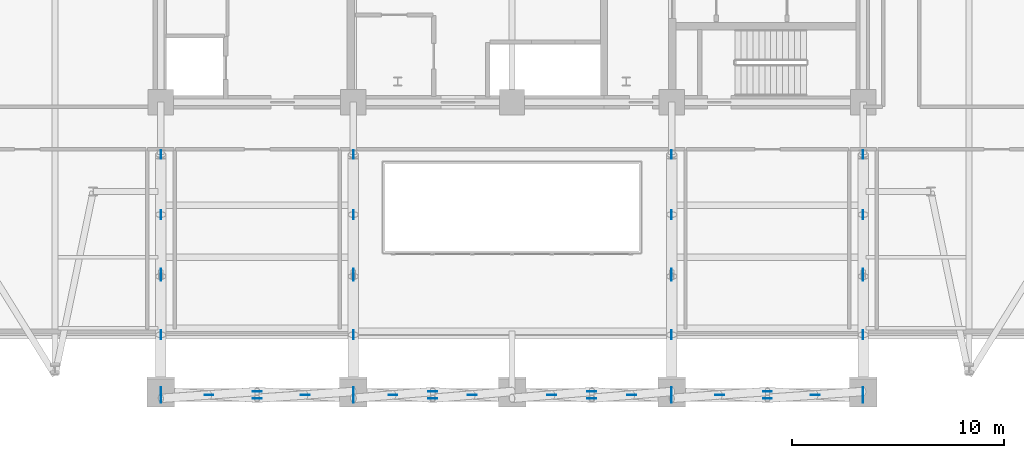
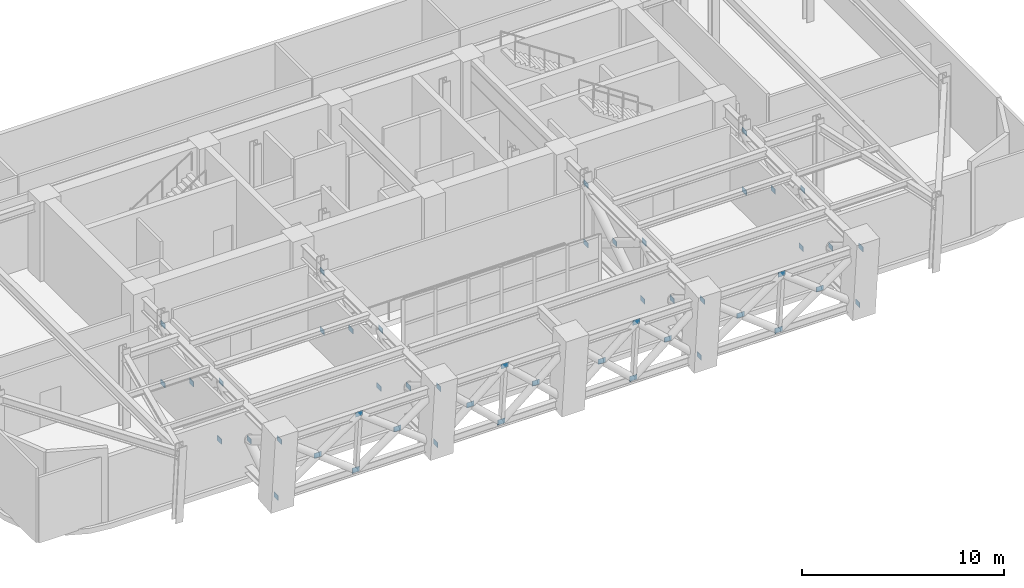
# One storey, part 7 of 13: 48 plates.
"""IFC4 building model written with IfcOpenShell, lengths in metres."""

from ifc_helpers import new_model, si_unit, direction, frame, origin, origin_2d, place, context, subcontext, project, spatial, rectangle, extrude, material, layer, layer_set, type_object, element, save


model = new_model("IFC4")

# Units and contexts
model_context = context("Model", 3, precision=1e-05, world=origin(), true_north=direction((0.0, 1.0)))
body_context = subcontext(model_context, "Body", "Model", "MODEL_VIEW")
ifc_project = project(units=[si_unit("LENGTHUNIT", "METRE"), si_unit("AREAUNIT", "SQUARE_METRE"), si_unit("VOLUMEUNIT", "CUBIC_METRE"), si_unit("PLANEANGLEUNIT", "RADIAN"), si_unit("MASSUNIT", "GRAM", prefix="KILO")], contexts=[model_context])

# Site, building, storey
site_placement = place(None, origin())
site = spatial("IfcSite", under=ifc_project, at=site_placement, CompositionType="ELEMENT")
building_placement = place(site_placement, origin())
building = spatial("IfcBuilding", under=site, at=building_placement, Name="Zarnavel Station Tower", CompositionType="ELEMENT")
storey_placement = place(building_placement, frame((0.0, 0.0, 132.89990234375)))
storey = spatial("IfcBuildingStorey", under=building, at=storey_placement, Name="L36", CompositionType="ELEMENT", Elevation=132.89990234375)

# Plates
ifc_material = material(Name="Steel S460M", Category="steel")
ifc_layer = layer(ifc_material, 0.02490234375)
ifc_layer_set = layer_set([ifc_layer], Name="GP_GUSSET_25")
plate_type = type_object("IfcPlateType", Name="GP_GUSSET_25", PredefinedType="USERDEFINED", material=ifc_layer_set)
for number, where, z_axis, x_axis, name in (
    (1, (12.199951171875, 14.148193359375, 0.25), (0.0, 0.0, 1.0), (1.0, 0.0, 0.0), "L36 Outrigger Gusset Plate 1-1"),
    (2, (12.199951171875, 13.823974609375, 3.830078125), (0.0, 0.0, 1.0), (1.0, 0.0, 0.0), "L36 Outrigger Gusset Plate 1-2"),
    (3, (12.199951171875, 19.749267578125, 0.25), (0.0, 0.0, 1.0), (1.0, 0.0, 0.0), "L36 Outrigger Gusset Plate 1-3"),
    (4, (12.199951171875, 19.5869140625, 3.830078125), (0.0, 0.0, 1.0), (1.0, 0.0, 0.0), "L36 Outrigger Gusset Plate 1-4"),
    (5, (12.199951171875, 25.35009765625, 0.25), (0.0, 0.0, 1.0), (1.0, 0.0, 0.0), "L36 Outrigger Gusset Plate 1-5"),
    (6, (12.199951171875, 25.35009765625, 3.830078125), (0.0, 0.0, 1.0), (1.0, 0.0, 0.0), "L36 Outrigger Gusset Plate 1-6"),
    (7, (12.199951171875, 22.509033203125, 2.0400390625), (0.0, 0.0, 1.0), (1.0, 0.0, 0.0), "L36 Outrigger Gusset Plate 1-7"),
    (8, (12.199951171875, 16.8271484375, 2.0400390625), (0.0, 0.0, 1.0), (1.0, 0.0, 0.0), "L36 Outrigger Gusset Plate 1-8"),
    (9, (21.300048828125, 14.148193359375, 0.25), (0.0, 0.0, 1.0), (1.0, 0.0, 0.0), "L36 Outrigger Gusset Plate 2-1"),
    (10, (21.300048828125, 13.823974609375, 3.830078125), (0.0, 0.0, 1.0), (1.0, 0.0, 0.0), "L36 Outrigger Gusset Plate 2-2"),
    (11, (21.300048828125, 19.749267578125, 0.25), (0.0, 0.0, 1.0), (1.0, 0.0, 0.0), "L36 Outrigger Gusset Plate 2-3"),
    (12, (21.300048828125, 19.5869140625, 3.830078125), (0.0, 0.0, 1.0), (1.0, 0.0, 0.0), "L36 Outrigger Gusset Plate 2-4"),
    (13, (21.300048828125, 25.35009765625, 0.25), (0.0, 0.0, 1.0), (1.0, 0.0, 0.0), "L36 Outrigger Gusset Plate 2-5"),
    (14, (21.300048828125, 25.35009765625, 3.830078125), (0.0, 0.0, 1.0), (1.0, 0.0, 0.0), "L36 Outrigger Gusset Plate 2-6"),
    (15, (21.300048828125, 22.509033203125, 2.0400390625), (0.0, 0.0, 1.0), (1.0, 0.0, 0.0), "L36 Outrigger Gusset Plate 2-7"),
    (16, (21.300048828125, 16.8271484375, 2.0400390625), (0.0, 0.0, 1.0), (1.0, 0.0, 0.0), "L36 Outrigger Gusset Plate 2-8"),
    (17, (36.35009765625, 14.148193359375, 0.25), (0.0, 0.0, 1.0), (1.0, 0.0, 0.0), "L36 Outrigger Gusset Plate 3-1"),
    (18, (36.35009765625, 13.823974609375, 3.830078125), (0.0, 0.0, 1.0), (1.0, 0.0, 0.0), "L36 Outrigger Gusset Plate 3-2"),
    (19, (36.35009765625, 19.749267578125, 0.25), (0.0, 0.0, 1.0), (1.0, 0.0, 0.0), "L36 Outrigger Gusset Plate 3-3"),
    (20, (36.35009765625, 19.5869140625, 3.830078125), (0.0, 0.0, 1.0), (1.0, 0.0, 0.0), "L36 Outrigger Gusset Plate 3-4"),
    (21, (36.35009765625, 25.35009765625, 0.25), (0.0, 0.0, 1.0), (1.0, 0.0, 0.0), "L36 Outrigger Gusset Plate 3-5"),
    (22, (36.35009765625, 25.35009765625, 3.830078125), (0.0, 0.0, 1.0), (1.0, 0.0, 0.0), "L36 Outrigger Gusset Plate 3-6"),
    (23, (36.35009765625, 22.509033203125, 2.0400390625), (0.0, 0.0, 1.0), (1.0, 0.0, 0.0), "L36 Outrigger Gusset Plate 3-7"),
    (24, (36.35009765625, 16.8271484375, 2.0400390625), (0.0, 0.0, 1.0), (1.0, 0.0, 0.0), "L36 Outrigger Gusset Plate 3-8"),
    (25, (45.39990234375, 14.148193359375, 0.25), (0.0, 0.0, 1.0), (1.0, 0.0, 0.0), "L36 Outrigger Gusset Plate 4-1"),
    (26, (45.39990234375, 13.823974609375, 3.830078125), (0.0, 0.0, 1.0), (1.0, 0.0, 0.0), "L36 Outrigger Gusset Plate 4-2"),
    (27, (45.39990234375, 19.749267578125, 0.25), (0.0, 0.0, 1.0), (1.0, 0.0, 0.0), "L36 Outrigger Gusset Plate 4-3"),
    (28, (45.39990234375, 19.5869140625, 3.830078125), (0.0, 0.0, 1.0), (1.0, 0.0, 0.0), "L36 Outrigger Gusset Plate 4-4"),
    (29, (45.39990234375, 25.35009765625, 0.25), (0.0, 0.0, 1.0), (1.0, 0.0, 0.0), "L36 Outrigger Gusset Plate 4-5"),
    (30, (45.39990234375, 25.35009765625, 3.830078125), (0.0, 0.0, 1.0), (1.0, 0.0, 0.0), "L36 Outrigger Gusset Plate 4-6"),
    (31, (45.39990234375, 22.509033203125, 2.0400390625), (0.0, 0.0, 1.0), (1.0, 0.0, 0.0), "L36 Outrigger Gusset Plate 4-7"),
    (32, (45.39990234375, 16.8271484375, 2.0400390625), (0.0, 0.0, 1.0), (1.0, 0.0, 0.0), "L36 Outrigger Gusset Plate 4-8"),
):
    element("IfcPlate", number, at=place(storey_placement, frame(where, z_axis=z_axis, x_axis=x_axis)), inside=storey, type_object=plate_type, Name=name, ObjectType="GUSSET_PLATE", PredefinedType="USERDEFINED", context=body_context, shape_type="SweptSolid", body=[
        extrude(rectangle(XDim=0.02490234375, YDim=0.419921875, at=origin_2d()), origin(), (0.0, 0.0, 1.0), 0.300048828125),
    ])
for number, where, z_axis, x_axis, name in (
    (33, (16.75, 14.148193359375, 0.25), (0.0, 0.0, 1.0), (1.0, 0.0, 0.0), "L36 Belt Truss Gusset Plate 1-1"),
    (34, (16.75, 13.823974609375, 3.830078125), (0.0, 0.0, 1.0), (1.0, 0.0, 0.0), "L36 Belt Truss Gusset Plate 1-2"),
    (35, (14.47509765625, 13.986083984375, 2.0400390625), (0.0, 0.0, 1.0), (1.0, 0.0, 0.0), "L36 Belt Truss Gusset Plate 1-3"),
    (36, (19.02490234375, 13.986083984375, 2.0400390625), (0.0, 0.0, 1.0), (1.0, 0.0, 0.0), "L36 Belt Truss Gusset Plate 1-4"),
    (37, (25.050048828125, 14.148193359375, 0.25), (0.0, 0.0, 1.0), (1.0, 0.0, 0.0), "L36 Belt Truss Gusset Plate 2-1"),
    (38, (25.050048828125, 13.823974609375, 3.830078125), (0.0, 0.0, 1.0), (1.0, 0.0, 0.0), "L36 Belt Truss Gusset Plate 2-2"),
    (39, (23.175048828125, 13.986083984375, 2.0400390625), (0.0, 0.0, 1.0), (1.0, 0.0, 0.0), "L36 Belt Truss Gusset Plate 2-3"),
    (40, (26.925048828125, 13.986083984375, 2.0400390625), (0.0, 0.0, 1.0), (1.0, 0.0, 0.0), "L36 Belt Truss Gusset Plate 2-4"),
    (41, (32.574951171875, 14.148193359375, 0.25), (0.0, 0.0, 1.0), (1.0, 0.0, 0.0), "L36 Belt Truss Gusset Plate 3-1"),
    (42, (32.574951171875, 13.823974609375, 3.830078125), (0.0, 0.0, 1.0), (1.0, 0.0, 0.0), "L36 Belt Truss Gusset Plate 3-2"),
    (43, (30.6875, 13.986083984375, 2.0400390625), (0.0, 0.0, 1.0), (1.0, 0.0, 0.0), "L36 Belt Truss Gusset Plate 3-3"),
    (44, (34.46240234375, 13.986083984375, 2.0400390625), (0.0, 0.0, 1.0), (1.0, 0.0, 0.0), "L36 Belt Truss Gusset Plate 3-4"),
    (45, (40.875, 14.148193359375, 0.25), (0.0, 0.0, 1.0), (1.0, 0.0, 0.0), "L36 Belt Truss Gusset Plate 4-1"),
    (46, (40.875, 13.823974609375, 3.830078125), (0.0, 0.0, 1.0), (1.0, 0.0, 0.0), "L36 Belt Truss Gusset Plate 4-2"),
    (47, (38.612548828125, 13.986083984375, 2.0400390625), (0.0, 0.0, 1.0), (1.0, 0.0, 0.0), "L36 Belt Truss Gusset Plate 4-3"),
    (48, (43.137451171875, 13.986083984375, 2.0400390625), (0.0, 0.0, 1.0), (1.0, 0.0, 0.0), "L36 Belt Truss Gusset Plate 4-4"),
):
    element("IfcPlate", number, at=place(storey_placement, frame(where, z_axis=z_axis, x_axis=x_axis)), inside=storey, type_object=plate_type, Name=name, ObjectType="GUSSET_PLATE", PredefinedType="USERDEFINED", context=body_context, shape_type="SweptSolid", body=[
        extrude(rectangle(XDim=0.419921875, YDim=0.02490234375, at=origin_2d()), origin(), (0.0, 0.0, 1.0), 0.300048828125),
    ])

save(model, "model.ifc")
